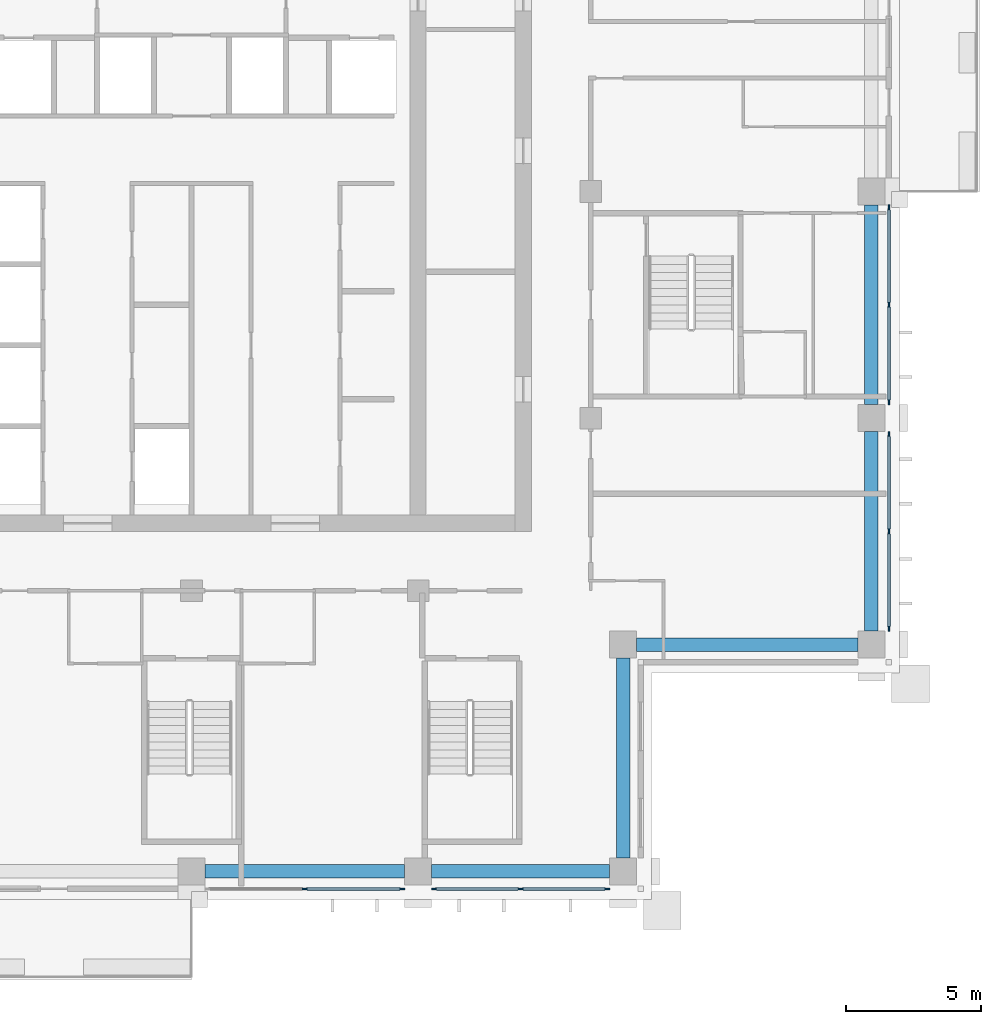
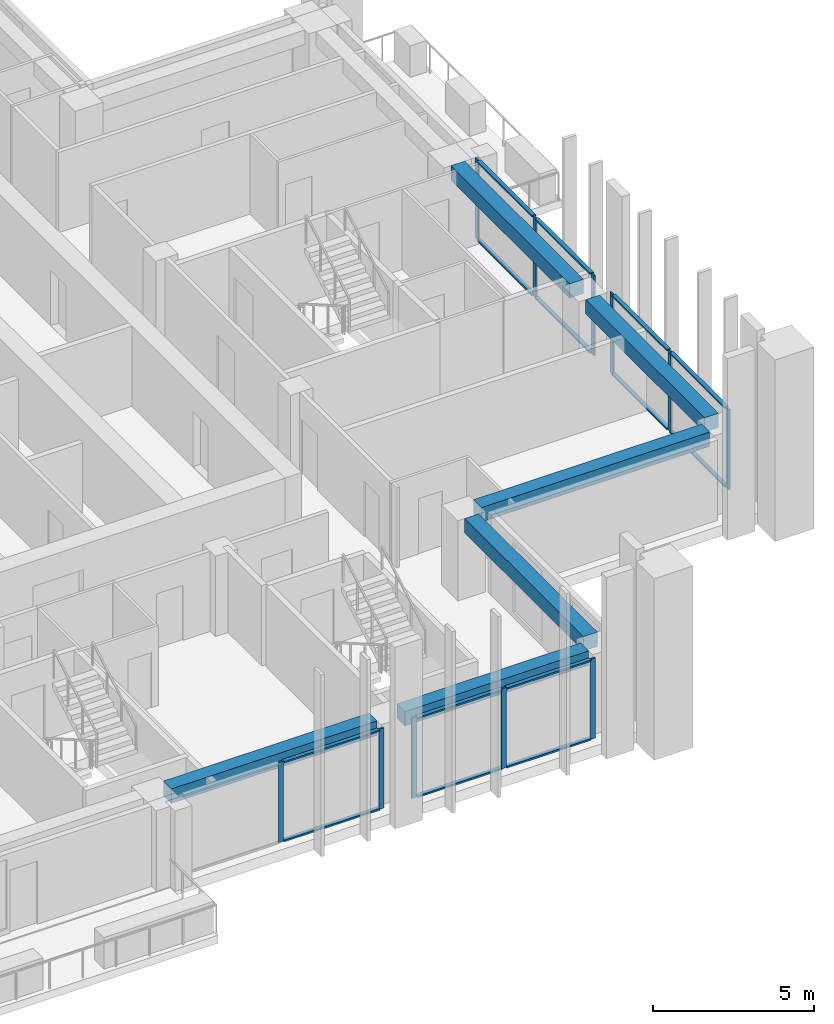
# One storey, part 4 of 16: 25 members, 6 beams, 4 elements without a shape of their own.
"""IFC4 building model written with IfcOpenShell, lengths in metres."""

from ifc_helpers import new_model, si_unit, direction, frame, origin, origin_2d, place, context, subcontext, project, spatial, rectangle, extrude, material, material_profile, profile_set, type_object, element, aggregate, save


model = new_model("IFC4")

# Units and contexts
model_context = context("Model", 3, precision=1e-05, world=origin(), true_north=direction((0.0, 1.0)))
body_context = subcontext(model_context, "Body", "Model", "MODEL_VIEW")
ifc_project = project(units=[si_unit("LENGTHUNIT", "METRE"), si_unit("AREAUNIT", "SQUARE_METRE"), si_unit("VOLUMEUNIT", "CUBIC_METRE"), si_unit("PLANEANGLEUNIT", "RADIAN"), si_unit("MASSUNIT", "GRAM", prefix="KILO")], contexts=[model_context])

# Site, building, storey
site_placement = place(None, origin())
site = spatial("IfcSite", under=ifc_project, at=site_placement, CompositionType="ELEMENT")
building_placement = place(site_placement, origin())
building = spatial("IfcBuilding", under=site, at=building_placement, Name="Vermilion Ogive Tower", CompositionType="ELEMENT")
storey_placement = place(building_placement, frame((0.0, 0.0, 206.60009765625)))
storey = spatial("IfcBuildingStorey", under=building, at=storey_placement, Name="L54", CompositionType="ELEMENT", Elevation=206.60009765625)

# Curtain wall, members
ifc_material_1 = material(Name="Low-iron laminated glazing in aluminium frame", Category="aluminium")
curtain_wall_type = type_object("IfcCurtainWallType", Name="Curtain wall CW7", PredefinedType="NOTDEFINED", material=ifc_material_1)
curtain_wall_1_placement = place(storey_placement, origin())
curtain_wall_1 = element("IfcCurtainWall", 1, at=curtain_wall_1_placement, inside=storey, type_object=curtain_wall_type, Name="Glazed skin S3", PredefinedType="NOTDEFINED")
ifc_material_2 = material(Name="Aluminium mullion", Category="aluminium")
ifc_material_profile_1 = material_profile(ifc_material_2, rectangle(XDim=0.06005859375, YDim=0.179931640625, at=origin_2d()), Name="AL 60x180")
ifc_profile_set_1 = profile_set([ifc_material_profile_1], Name="Aluminium mullion")
member_type_1 = type_object("IfcMemberType", Name="CW7 mullion 60x180", PredefinedType="MULLION", material=ifc_profile_set_1)
member_1_placement = place(storey_placement, frame((4.199951171875, -21.64990234375, 0.0), z_axis=(0.0, 0.0, 1.0), x_axis=(0.0, 1.0, 0.0)))
member_1 = element("IfcMember", 2, at=member_1_placement, type_object=member_type_1, Name="CW7-S3 mullion 2", PredefinedType="MULLION", context=body_context, shape_type="SweptSolid", body=[
    extrude(rectangle(XDim=0.06005859375, YDim=0.179931640625, at=origin_2d()), origin(), (0.0, 0.0, 1.0), 3.0498046875),
])
member_2_placement = place(storey_placement, frame((7.81005859375, -21.64990234375, 0.0), z_axis=(0.0, 0.0, 1.0), x_axis=(0.0, 1.0, 0.0)))
member_2 = element("IfcMember", 3, at=member_2_placement, type_object=member_type_1, Name="CW7-S3 mullion 3", PredefinedType="MULLION", context=body_context, shape_type="SweptSolid", body=[
    extrude(rectangle(XDim=0.06005859375, YDim=0.179931640625, at=origin_2d()), origin(), (0.0, 0.0, 1.0), 3.0498046875),
])

curtain_wall_2_placement = place(storey_placement, origin())
curtain_wall_2 = element("IfcCurtainWall", 4, at=curtain_wall_2_placement, inside=storey, type_object=curtain_wall_type, Name="Glazed skin S4", PredefinedType="NOTDEFINED")
member_3_placement = place(storey_placement, frame((8.989990234375, -21.64990234375, 0.0), z_axis=(0.0, 0.0, 1.0), x_axis=(0.0, 1.0, 0.0)))
member_3 = element("IfcMember", 5, at=member_3_placement, type_object=member_type_1, Name="CW7-S4 mullion 1", PredefinedType="MULLION", context=body_context, shape_type="SweptSolid", body=[
    extrude(rectangle(XDim=0.06005859375, YDim=0.179931640625, at=origin_2d()), origin(), (0.0, 0.0, 1.0), 3.0498046875),
])
member_4_placement = place(storey_placement, frame((12.199951171875, -21.64990234375, 0.0), z_axis=(0.0, 0.0, 1.0), x_axis=(0.0, 1.0, 0.0)))
member_4 = element("IfcMember", 6, at=member_4_placement, type_object=member_type_1, Name="CW7-S4 mullion 2", PredefinedType="MULLION", context=body_context, shape_type="SweptSolid", body=[
    extrude(rectangle(XDim=0.06005859375, YDim=0.179931640625, at=origin_2d()), origin(), (0.0, 0.0, 1.0), 3.0498046875),
])
member_5_placement = place(storey_placement, frame((15.409912109375, -21.64990234375, 0.0), z_axis=(0.0, 0.0, 1.0), x_axis=(0.0, 1.0, 0.0)))
member_5 = element("IfcMember", 7, at=member_5_placement, type_object=member_type_1, Name="CW7-S4 mullion 3", PredefinedType="MULLION", context=body_context, shape_type="SweptSolid", body=[
    extrude(rectangle(XDim=0.06005859375, YDim=0.179931640625, at=origin_2d()), origin(), (0.0, 0.0, 1.0), 3.0498046875),
])

curtain_wall_3_placement = place(storey_placement, origin())
curtain_wall_3 = element("IfcCurtainWall", 8, at=curtain_wall_3_placement, inside=storey, type_object=curtain_wall_type, Name="Glazed skin E1", PredefinedType="NOTDEFINED")
member_6_placement = place(storey_placement, frame((25.85009765625, -12.010009765625, 0.0), z_axis=(0.0, 0.0, 1.0), x_axis=(-1.0, 0.0, 0.0)))
member_6 = element("IfcMember", 9, at=member_6_placement, type_object=member_type_1, Name="CW7-E1 mullion 1", PredefinedType="MULLION", context=body_context, shape_type="SweptSolid", body=[
    extrude(rectangle(XDim=0.06005859375, YDim=0.179931640625, at=origin_2d()), origin(), (0.0, 0.0, 1.0), 3.0498046875),
])
member_7_placement = place(storey_placement, frame((25.85009765625, -8.39990234375, 0.0), z_axis=(0.0, 0.0, 1.0), x_axis=(-1.0, 0.0, 0.0)))
member_7 = element("IfcMember", 10, at=member_7_placement, type_object=member_type_1, Name="CW7-E1 mullion 2", PredefinedType="MULLION", context=body_context, shape_type="SweptSolid", body=[
    extrude(rectangle(XDim=0.06005859375, YDim=0.179931640625, at=origin_2d()), origin(), (0.0, 0.0, 1.0), 3.0498046875),
])
member_8_placement = place(storey_placement, frame((25.85009765625, -4.7900390625, 0.0), z_axis=(0.0, 0.0, 1.0), x_axis=(-1.0, 0.0, 0.0)))
member_8 = element("IfcMember", 11, at=member_8_placement, type_object=member_type_1, Name="CW7-E1 mullion 3", PredefinedType="MULLION", context=body_context, shape_type="SweptSolid", body=[
    extrude(rectangle(XDim=0.06005859375, YDim=0.179931640625, at=origin_2d()), origin(), (0.0, 0.0, 1.0), 3.0498046875),
])

curtain_wall_4_placement = place(storey_placement, origin())
curtain_wall_4 = element("IfcCurtainWall", 12, at=curtain_wall_4_placement, inside=storey, type_object=curtain_wall_type, Name="Glazed skin E2", PredefinedType="NOTDEFINED")
member_9_placement = place(storey_placement, frame((25.85009765625, -3.610107421875, 0.0), z_axis=(0.0, 0.0, 1.0), x_axis=(-1.0, 0.0, 0.0)))
member_9 = element("IfcMember", 13, at=member_9_placement, type_object=member_type_1, Name="CW7-E2 mullion 1", PredefinedType="MULLION", context=body_context, shape_type="SweptSolid", body=[
    extrude(rectangle(XDim=0.06005859375, YDim=0.179931640625, at=origin_2d()), origin(), (0.0, 0.0, 1.0), 3.0498046875),
])
member_10_placement = place(storey_placement, frame((25.85009765625, 0.0, 0.0), z_axis=(0.0, 0.0, 1.0), x_axis=(-1.0, 0.0, 0.0)))
member_10 = element("IfcMember", 14, at=member_10_placement, type_object=member_type_1, Name="CW7-E2 mullion 2", PredefinedType="MULLION", context=body_context, shape_type="SweptSolid", body=[
    extrude(rectangle(XDim=0.06005859375, YDim=0.179931640625, at=origin_2d()), origin(), (0.0, 0.0, 1.0), 3.0498046875),
])
member_11_placement = place(storey_placement, frame((25.85009765625, 3.610107421875, 0.0), z_axis=(0.0, 0.0, 1.0), x_axis=(-1.0, 0.0, 0.0)))
member_11 = element("IfcMember", 15, at=member_11_placement, type_object=member_type_1, Name="CW7-E2 mullion 3", PredefinedType="MULLION", context=body_context, shape_type="SweptSolid", body=[
    extrude(rectangle(XDim=0.06005859375, YDim=0.179931640625, at=origin_2d()), origin(), (0.0, 0.0, 1.0), 3.0498046875),
])

# Member
ifc_material_3 = material(Name="Aluminium transom", Category="aluminium")
ifc_material_profile_2 = material_profile(ifc_material_3, rectangle(XDim=0.139892578125, YDim=0.06005859375, at=origin_2d()), Name="AL 60x140")
ifc_profile_set_2 = profile_set([ifc_material_profile_2], Name="Aluminium transom")
member_type_2 = type_object("IfcMemberType", Name="CW7 transom 60x140", PredefinedType="USERDEFINED", material=ifc_profile_set_2)
member_12_placement = place(storey_placement, frame((4.2900390625, -21.64990234375, 0.02978515625), z_axis=(1.0, 0.0, 0.0), x_axis=(0.0, 1.0, 0.0)))
member_12 = element("IfcMember", 16, at=member_12_placement, type_object=member_type_2, Name="CW7-S3 transom 2.1", ObjectType="TRANSOM", PredefinedType="USERDEFINED", context=body_context, shape_type="SweptSolid", body=[
    extrude(rectangle(XDim=0.139892578125, YDim=0.06005859375, at=origin_2d()), origin(), (0.0, 0.0, 1.0), 3.429931640625),
])

member_13_placement = place(storey_placement, frame((4.2900390625, -21.64990234375, 3.02001953125), z_axis=(1.0, 0.0, 0.0), x_axis=(0.0, 1.0, 0.0)))
member_13 = element("IfcMember", 17, at=member_13_placement, type_object=member_type_2, Name="CW7-S3 transom 2.2", ObjectType="TRANSOM", PredefinedType="USERDEFINED", context=body_context, shape_type="SweptSolid", body=[
    extrude(rectangle(XDim=0.139892578125, YDim=0.06005859375, at=origin_2d()), origin(), (0.0, 0.0, 1.0), 3.429931640625),
])

aggregate(curtain_wall_1, [member_1, member_2, member_12, member_13])

member_14_placement = place(storey_placement, frame((9.080078125, -21.64990234375, 0.02978515625), z_axis=(1.0, 0.0, 0.0), x_axis=(0.0, 1.0, 0.0)))
member_14 = element("IfcMember", 18, at=member_14_placement, type_object=member_type_2, Name="CW7-S4 transom 1.1", ObjectType="TRANSOM", PredefinedType="USERDEFINED", context=body_context, shape_type="SweptSolid", body=[
    extrude(rectangle(XDim=0.139892578125, YDim=0.06005859375, at=origin_2d()), origin(), (0.0, 0.0, 1.0), 3.030029296875),
])

member_15_placement = place(storey_placement, frame((9.080078125, -21.64990234375, 3.02001953125), z_axis=(1.0, 0.0, 0.0), x_axis=(0.0, 1.0, 0.0)))
member_15 = element("IfcMember", 19, at=member_15_placement, type_object=member_type_2, Name="CW7-S4 transom 1.2", ObjectType="TRANSOM", PredefinedType="USERDEFINED", context=body_context, shape_type="SweptSolid", body=[
    extrude(rectangle(XDim=0.139892578125, YDim=0.06005859375, at=origin_2d()), origin(), (0.0, 0.0, 1.0), 3.030029296875),
])

member_16_placement = place(storey_placement, frame((12.2900390625, -21.64990234375, 0.02978515625), z_axis=(1.0, 0.0, 0.0), x_axis=(0.0, 1.0, 0.0)))
member_16 = element("IfcMember", 20, at=member_16_placement, type_object=member_type_2, Name="CW7-S4 transom 2.1", ObjectType="TRANSOM", PredefinedType="USERDEFINED", context=body_context, shape_type="SweptSolid", body=[
    extrude(rectangle(XDim=0.139892578125, YDim=0.06005859375, at=origin_2d()), origin(), (0.0, 0.0, 1.0), 3.030029296875),
])

member_17_placement = place(storey_placement, frame((12.2900390625, -21.64990234375, 3.02001953125), z_axis=(1.0, 0.0, 0.0), x_axis=(0.0, 1.0, 0.0)))
member_17 = element("IfcMember", 21, at=member_17_placement, type_object=member_type_2, Name="CW7-S4 transom 2.2", ObjectType="TRANSOM", PredefinedType="USERDEFINED", context=body_context, shape_type="SweptSolid", body=[
    extrude(rectangle(XDim=0.139892578125, YDim=0.06005859375, at=origin_2d()), origin(), (0.0, 0.0, 1.0), 3.030029296875),
])

aggregate(curtain_wall_2, [member_3, member_4, member_5, member_14, member_15, member_16, member_17])

member_18_placement = place(storey_placement, frame((25.85009765625, -11.919921875, 0.02978515625), z_axis=(0.0, 1.0, 0.0), x_axis=(-1.0, 0.0, 0.0)))
member_18 = element("IfcMember", 22, at=member_18_placement, type_object=member_type_2, Name="CW7-E1 transom 1.1", ObjectType="TRANSOM", PredefinedType="USERDEFINED", context=body_context, shape_type="SweptSolid", body=[
    extrude(rectangle(XDim=0.139892578125, YDim=0.06005859375, at=origin_2d()), origin(), (0.0, 0.0, 1.0), 3.429931640625),
])

member_19_placement = place(storey_placement, frame((25.85009765625, -11.919921875, 3.02001953125), z_axis=(0.0, 1.0, 0.0), x_axis=(-1.0, 0.0, 0.0)))
member_19 = element("IfcMember", 23, at=member_19_placement, type_object=member_type_2, Name="CW7-E1 transom 1.2", ObjectType="TRANSOM", PredefinedType="USERDEFINED", context=body_context, shape_type="SweptSolid", body=[
    extrude(rectangle(XDim=0.139892578125, YDim=0.06005859375, at=origin_2d()), origin(), (0.0, 0.0, 1.0), 3.429931640625),
])

member_20_placement = place(storey_placement, frame((25.85009765625, -8.31005859375, 0.02978515625), z_axis=(0.0, 1.0, 0.0), x_axis=(-1.0, 0.0, 0.0)))
member_20 = element("IfcMember", 24, at=member_20_placement, type_object=member_type_2, Name="CW7-E1 transom 2.1", ObjectType="TRANSOM", PredefinedType="USERDEFINED", context=body_context, shape_type="SweptSolid", body=[
    extrude(rectangle(XDim=0.139892578125, YDim=0.06005859375, at=origin_2d()), origin(), (0.0, 0.0, 1.0), 3.43017578125),
])

member_21_placement = place(storey_placement, frame((25.85009765625, -8.31005859375, 3.02001953125), z_axis=(0.0, 1.0, 0.0), x_axis=(-1.0, 0.0, 0.0)))
member_21 = element("IfcMember", 25, at=member_21_placement, type_object=member_type_2, Name="CW7-E1 transom 2.2", ObjectType="TRANSOM", PredefinedType="USERDEFINED", context=body_context, shape_type="SweptSolid", body=[
    extrude(rectangle(XDim=0.139892578125, YDim=0.06005859375, at=origin_2d()), origin(), (0.0, 0.0, 1.0), 3.43017578125),
])

aggregate(curtain_wall_3, [member_6, member_7, member_8, member_18, member_19, member_20, member_21])

member_22_placement = place(storey_placement, frame((25.85009765625, -3.52001953125, 0.02978515625), z_axis=(0.0, 1.0, 0.0), x_axis=(-1.0, 0.0, 0.0)))
member_22 = element("IfcMember", 26, at=member_22_placement, type_object=member_type_2, Name="CW7-E2 transom 1.1", ObjectType="TRANSOM", PredefinedType="USERDEFINED", context=body_context, shape_type="SweptSolid", body=[
    extrude(rectangle(XDim=0.139892578125, YDim=0.06005859375, at=origin_2d()), origin(), (0.0, 0.0, 1.0), 3.429931640625),
])

member_23_placement = place(storey_placement, frame((25.85009765625, -3.52001953125, 3.02001953125), z_axis=(0.0, 1.0, 0.0), x_axis=(-1.0, 0.0, 0.0)))
member_23 = element("IfcMember", 27, at=member_23_placement, type_object=member_type_2, Name="CW7-E2 transom 1.2", ObjectType="TRANSOM", PredefinedType="USERDEFINED", context=body_context, shape_type="SweptSolid", body=[
    extrude(rectangle(XDim=0.139892578125, YDim=0.06005859375, at=origin_2d()), origin(), (0.0, 0.0, 1.0), 3.429931640625),
])

member_24_placement = place(storey_placement, frame((25.85009765625, 0.090087890625, 0.02978515625), z_axis=(0.0, 1.0, 0.0), x_axis=(-1.0, 0.0, 0.0)))
member_24 = element("IfcMember", 28, at=member_24_placement, type_object=member_type_2, Name="CW7-E2 transom 2.1", ObjectType="TRANSOM", PredefinedType="USERDEFINED", context=body_context, shape_type="SweptSolid", body=[
    extrude(rectangle(XDim=0.139892578125, YDim=0.06005859375, at=origin_2d()), origin(), (0.0, 0.0, 1.0), 3.429931640625),
])

member_25_placement = place(storey_placement, frame((25.85009765625, 0.090087890625, 3.02001953125), z_axis=(0.0, 1.0, 0.0), x_axis=(-1.0, 0.0, 0.0)))
member_25 = element("IfcMember", 29, at=member_25_placement, type_object=member_type_2, Name="CW7-E2 transom 2.2", ObjectType="TRANSOM", PredefinedType="USERDEFINED", context=body_context, shape_type="SweptSolid", body=[
    extrude(rectangle(XDim=0.139892578125, YDim=0.06005859375, at=origin_2d()), origin(), (0.0, 0.0, 1.0), 3.429931640625),
])

aggregate(curtain_wall_4, [member_9, member_10, member_11, member_22, member_23, member_24, member_25])

# Beams
ifc_material_4 = material(Name="Concrete B45", Category="concrete")
ifc_material_profile_3 = material_profile(ifc_material_4, rectangle(XDim=0.5, YDim=0.550048828125, at=origin_2d()), Name="500 x 550")
ifc_profile_set_3 = profile_set([ifc_material_profile_3], Name="Concrete B45")
beam_type = type_object("IfcBeamType", Name="Edge beam 500 x 550 B45", PredefinedType="BEAM", material=ifc_profile_set_3)
beam_1_placement = place(storey_placement, frame((0.5, -21.0, 2.77490234375), z_axis=(1.0, 0.0, 0.0), x_axis=(0.0, 1.0, 0.0)))
element("IfcBeam", 30, at=beam_1_placement, inside=storey, type_object=beam_type, Name="L54-EB-3", PredefinedType="BEAM", context=body_context, shape_type="SweptSolid", body=[
    extrude(rectangle(XDim=0.5, YDim=0.550048828125, at=origin_2d()), origin(), (0.0, 0.0, 1.0), 7.39990234375),
])
beam_2_placement = place(storey_placement, frame((8.89990234375, -21.0, 2.77490234375), z_axis=(1.0, 0.0, 0.0), x_axis=(0.0, 1.0, 0.0)))
element("IfcBeam", 31, at=beam_2_placement, inside=storey, type_object=beam_type, Name="L54-EB-4", PredefinedType="BEAM", context=body_context, shape_type="SweptSolid", body=[
    extrude(rectangle(XDim=0.5, YDim=0.550048828125, at=origin_2d()), origin(), (0.0, 0.0, 1.0), 6.60009765625),
])
beam_3_placement = place(storey_placement, frame((16.0, -20.5, 2.77490234375), z_axis=(0.0, 1.0, 0.0), x_axis=(-1.0, 0.0, 0.0)))
element("IfcBeam", 32, at=beam_3_placement, inside=storey, type_object=beam_type, Name="L54-EB-5", PredefinedType="BEAM", context=body_context, shape_type="SweptSolid", body=[
    extrude(rectangle(XDim=0.5, YDim=0.550048828125, at=origin_2d()), origin(), (0.0, 0.0, 1.0), 7.39990234375),
])
beam_4_placement = place(storey_placement, frame((16.5, -12.60009765625, 2.77490234375), z_axis=(1.0, 0.0, 0.0), x_axis=(0.0, 1.0, 0.0)))
element("IfcBeam", 33, at=beam_4_placement, inside=storey, type_object=beam_type, Name="L54-EB-6", PredefinedType="BEAM", context=body_context, shape_type="SweptSolid", body=[
    extrude(rectangle(XDim=0.5, YDim=0.550048828125, at=origin_2d()), origin(), (0.0, 0.0, 1.0), 8.199951171875),
])
beam_5_placement = place(storey_placement, frame((25.199951171875, -12.10009765625, 2.77490234375), z_axis=(0.0, 1.0, 0.0), x_axis=(-1.0, 0.0, 0.0)))
element("IfcBeam", 34, at=beam_5_placement, inside=storey, type_object=beam_type, Name="L54-EB-7", PredefinedType="BEAM", context=body_context, shape_type="SweptSolid", body=[
    extrude(rectangle(XDim=0.5, YDim=0.550048828125, at=origin_2d()), origin(), (0.0, 0.0, 1.0), 7.400146484375),
])
beam_6_placement = place(storey_placement, frame((25.199951171875, -3.699951171875, 2.77490234375), z_axis=(0.0, 1.0, 0.0), x_axis=(-1.0, 0.0, 0.0)))
element("IfcBeam", 35, at=beam_6_placement, inside=storey, type_object=beam_type, Name="L54-EB-8", PredefinedType="BEAM", context=body_context, shape_type="SweptSolid", body=[
    extrude(rectangle(XDim=0.5, YDim=0.550048828125, at=origin_2d()), origin(), (0.0, 0.0, 1.0), 7.39990234375),
])

save(model, "model.ifc")
